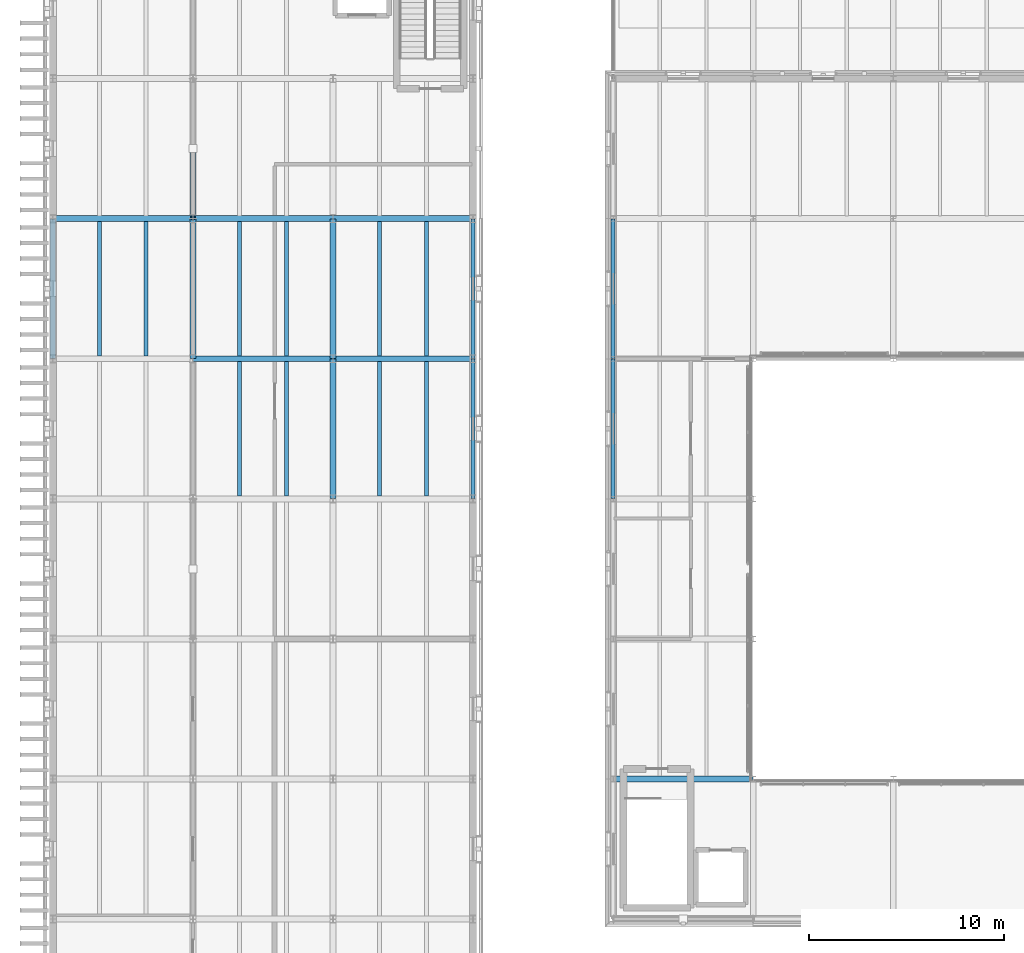
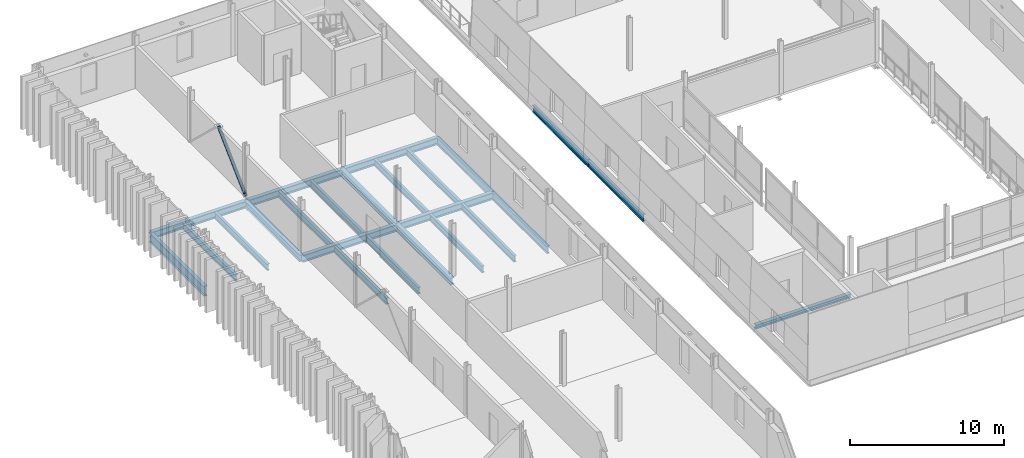
# One storey, part 9 of 66: 24 beams, 1 member.
"""IFC4 building model written with IfcOpenShell, lengths in metres."""

from ifc_helpers import new_model, si_unit, direction, frame, origin, origin_2d, place, context, subcontext, project, spatial, hollow_circle, i_section, extrude, material, material_profile, profile_set, type_object, element, save


model = new_model("IFC4")

# Units and contexts
model_context = context("Model", 3, precision=1e-05, world=origin(), true_north=direction((0.0, 1.0)))
body_context = subcontext(model_context, "Body", "Model", "MODEL_VIEW")
ifc_project = project(units=[si_unit("LENGTHUNIT", "METRE"), si_unit("AREAUNIT", "SQUARE_METRE"), si_unit("VOLUMEUNIT", "CUBIC_METRE"), si_unit("PLANEANGLEUNIT", "RADIAN"), si_unit("MASSUNIT", "GRAM", prefix="KILO")], contexts=[model_context])

# Site, building, storey
site_placement = place(None, origin())
site = spatial("IfcSite", under=ifc_project, at=site_placement, CompositionType="ELEMENT")
building_placement = place(site_placement, origin())
building = spatial("IfcBuilding", under=site, at=building_placement, Name="Narikvali Park Central Library", CompositionType="ELEMENT")
storey_placement = place(building_placement, frame((0.0, 0.0, 18.60009765625)))
storey = spatial("IfcBuildingStorey", under=building, at=storey_placement, Name="L04", CompositionType="ELEMENT", Elevation=18.60009765625)

# Beams
ifc_material = material(Name="Steel S355", Category="steel")
ifc_material_profile_1 = material_profile(ifc_material, i_section(OverallWidth=0.264892578125, OverallDepth=0.7529296875, WebThickness=0.01318359375, FlangeThickness=0.01708984375, FilletRadius=0.01708984375, at=origin_2d()), Name="IPE 750x147")
ifc_profile_set_1 = profile_set([ifc_material_profile_1], Name="Steel S355")
beam_type_1 = type_object("IfcBeamType", Name="Fin Facade Spandrel IPE750", PredefinedType="SPANDREL", material=ifc_profile_set_1)
beam_1_placement = place(storey_placement, frame((0.0, 86.407958984375, -0.63671875), z_axis=(0.0, 1.0, 0.0), x_axis=(-1.0, 0.0, 0.0)))
element("IfcBeam", 1, at=beam_1_placement, inside=storey, type_object=beam_type_1, Name="V5 L04 Girder Y", PredefinedType="SPANDREL", context=body_context, shape_type="SweptSolid", body=[
    extrude(i_section(OverallWidth=0.264892578125, OverallDepth=0.7529296875, WebThickness=0.01318359375, FlangeThickness=0.01708984375, FilletRadius=0.01708984375, at=origin_2d()), origin(), (0.0, 0.0, 1.0), 7.18408203125),
])
ifc_material_profile_2 = material_profile(ifc_material, i_section(OverallWidth=0.201904296875, OverallDepth=0.506103515625, WebThickness=0.011962890625, FlangeThickness=0.01904296875, FilletRadius=0.02099609375, at=origin_2d()), Name="IPEO 500")
ifc_profile_set_2 = profile_set([ifc_material_profile_2], Name="Steel S355")
beam_type_2 = type_object("IfcBeamType", Name="Open Stack Joist IPEO500", PredefinedType="JOIST", material=ifc_profile_set_2)
for number, where, z_axis, x_axis, name in (
    (2, (2.39990234375, 86.550048828125, -0.51318359375), (0.0, 1.0, 0.0), (-1.0, 0.0, 0.0), "V5 L04 Composite Joist 1"),
    (3, (4.800048828125, 86.550048828125, -0.51318359375), (0.0, 1.0, 0.0), (-1.0, 0.0, 0.0), "V5 L04 Composite Joist 2"),
    (4, (9.60009765625, 79.35009765625, -0.51318359375), (0.0, 1.0, 0.0), (-1.0, 0.0, 0.0), "V5 L04 Composite Joist 1"),
    (5, (12.0, 79.35009765625, -0.51318359375), (0.0, 1.0, 0.0), (-1.0, 0.0, 0.0), "V5 L04 Composite Joist 2"),
    (6, (9.60009765625, 86.550048828125, -0.51318359375), (0.0, 1.0, 0.0), (-1.0, 0.0, 0.0), "V5 L04 Composite Joist 1"),
    (7, (12.0, 86.550048828125, -0.51318359375), (0.0, 1.0, 0.0), (-1.0, 0.0, 0.0), "V5 L04 Composite Joist 2"),
    (8, (16.800048828125, 79.35009765625, -0.51318359375), (0.0, 1.0, 0.0), (-1.0, 0.0, 0.0), "V5 L04 Composite Joist 1"),
    (9, (19.199951171875, 79.35009765625, -0.51318359375), (0.0, 1.0, 0.0), (-1.0, 0.0, 0.0), "V5 L04 Composite Joist 2"),
    (10, (16.800048828125, 86.550048828125, -0.51318359375), (0.0, 1.0, 0.0), (-1.0, 0.0, 0.0), "V5 L04 Composite Joist 1"),
    (11, (19.199951171875, 86.550048828125, -0.51318359375), (0.0, 1.0, 0.0), (-1.0, 0.0, 0.0), "V5 L04 Composite Joist 2"),
):
    element("IfcBeam", number, at=place(storey_placement, frame(where, z_axis=z_axis, x_axis=x_axis)), inside=storey, type_object=beam_type_2, Name=name, PredefinedType="JOIST", context=body_context, shape_type="SweptSolid", body=[
        extrude(i_section(OverallWidth=0.201904296875, OverallDepth=0.506103515625, WebThickness=0.011962890625, FlangeThickness=0.01904296875, FilletRadius=0.02099609375, at=origin_2d()), origin(), (0.0, 0.0, 1.0), 6.89990234375),
    ])
ifc_material_profile_3 = material_profile(ifc_material, i_section(OverallWidth=0.2099609375, OverallDepth=0.550048828125, WebThickness=0.010986328125, FlangeThickness=0.01708984375, FilletRadius=0.02392578125, at=origin_2d()), Name="IPE 550")
ifc_profile_set_3 = profile_set([ifc_material_profile_3], Name="Steel S355")
beam_type_3 = type_object("IfcBeamType", Name="Perimeter Spandrel IPE550", PredefinedType="SPANDREL", material=ifc_profile_set_3)
for number, where, z_axis, x_axis, name in (
    (12, (28.800048828125, 79.2080078125, -0.53515625), (0.0, 1.0, 0.0), (-1.0, 0.0, 0.0), "V4 L04 Girder Y"),
    (13, (28.800048828125, 86.407958984375, -0.53515625), (0.0, 1.0, 0.0), (-1.0, 0.0, 0.0), "V4 L04 Girder Y"),
):
    element("IfcBeam", number, at=place(storey_placement, frame(where, z_axis=z_axis, x_axis=x_axis)), inside=storey, type_object=beam_type_3, Name=name, PredefinedType="SPANDREL", context=body_context, shape_type="SweptSolid", body=[
        extrude(i_section(OverallWidth=0.2099609375, OverallDepth=0.550048828125, WebThickness=0.010986328125, FlangeThickness=0.01708984375, FilletRadius=0.02392578125, at=origin_2d()), origin(), (0.0, 0.0, 1.0), 7.18408203125),
    ])
ifc_material_profile_4 = material_profile(ifc_material, i_section(OverallWidth=0.219970703125, OverallDepth=0.60009765625, WebThickness=0.011962890625, FlangeThickness=0.01904296875, FilletRadius=0.02392578125, at=origin_2d()), Name="IPE 600")
ifc_profile_set_4 = profile_set([ifc_material_profile_4], Name="Steel S355")
beam_type_4 = type_object("IfcBeamType", Name="Perimeter Spandrel IPE600", PredefinedType="SPANDREL", material=ifc_profile_set_4)
for number, where, z_axis, x_axis, name in (
    (14, (21.60009765625, 79.2080078125, -0.56005859375), (0.0, 1.0, 0.0), (-1.0, 0.0, 0.0), "V5 L04 Girder Y"),
    (15, (21.60009765625, 86.407958984375, -0.56005859375), (0.0, 1.0, 0.0), (-1.0, 0.0, 0.0), "V5 L04 Girder Y"),
):
    element("IfcBeam", number, at=place(storey_placement, frame(where, z_axis=z_axis, x_axis=x_axis)), inside=storey, type_object=beam_type_4, Name=name, PredefinedType="SPANDREL", context=body_context, shape_type="SweptSolid", body=[
        extrude(i_section(OverallWidth=0.219970703125, OverallDepth=0.60009765625, WebThickness=0.011962890625, FlangeThickness=0.01904296875, FilletRadius=0.02392578125, at=origin_2d()), origin(), (0.0, 0.0, 1.0), 7.18408203125),
    ])
ifc_material_profile_5 = material_profile(ifc_material, i_section(OverallWidth=0.300048828125, OverallDepth=0.31005859375, WebThickness=0.009033203125, FlangeThickness=0.015380859375, FilletRadius=0.027099609375, at=origin_2d()), Name="HEA 320")
ifc_profile_set_5 = profile_set([ifc_material_profile_5], Name="Steel S355")
beam_type_5 = type_object("IfcBeamType", Name="Primary Girder HEA320", PredefinedType="BEAM", material=ifc_profile_set_5)
beam_2_placement = place(storey_placement, frame((28.80810546875, 64.800048828125, -0.4150390625), z_axis=(1.0, 0.0, 0.0), x_axis=(0.0, 1.0, 0.0)))
element("IfcBeam", 16, at=beam_2_placement, inside=storey, type_object=beam_type_5, Name="V4 L04 Girder X", PredefinedType="BEAM", context=body_context, shape_type="SweptSolid", body=[
    extrude(i_section(OverallWidth=0.300048828125, OverallDepth=0.31005859375, WebThickness=0.009033203125, FlangeThickness=0.015380859375, FilletRadius=0.027099609375, at=origin_2d()), origin(), (0.0, 0.0, 1.0), 7.183837890625),
])
ifc_material_profile_6 = material_profile(ifc_material, i_section(OverallWidth=0.300048828125, OverallDepth=0.5400390625, WebThickness=0.012451171875, FlangeThickness=0.02392578125, FilletRadius=0.027099609375, at=origin_2d()), Name="HEA 550")
ifc_profile_set_6 = profile_set([ifc_material_profile_6], Name="Steel S355")
beam_type_6 = type_object("IfcBeamType", Name="Primary Girder HEA550", PredefinedType="BEAM", material=ifc_profile_set_6)
for number, where, z_axis, x_axis, name in (
    (17, (7.199951171875, 86.407958984375, -0.530029296875), (0.0, 1.0, 0.0), (-1.0, 0.0, 0.0), "V5 L04 Girder Y"),
    (18, (14.39990234375, 79.2080078125, -0.530029296875), (0.0, 1.0, 0.0), (-1.0, 0.0, 0.0), "V5 L04 Girder Y"),
    (19, (14.39990234375, 86.407958984375, -0.530029296875), (0.0, 1.0, 0.0), (-1.0, 0.0, 0.0), "V5 L04 Girder Y"),
):
    element("IfcBeam", number, at=place(storey_placement, frame(where, z_axis=z_axis, x_axis=x_axis)), inside=storey, type_object=beam_type_6, Name=name, PredefinedType="BEAM", context=body_context, shape_type="SweptSolid", body=[
        extrude(i_section(OverallWidth=0.300048828125, OverallDepth=0.5400390625, WebThickness=0.012451171875, FlangeThickness=0.02392578125, FilletRadius=0.027099609375, at=origin_2d()), origin(), (0.0, 0.0, 1.0), 7.18408203125),
    ])
ifc_material_profile_7 = material_profile(ifc_material, i_section(OverallWidth=0.300048828125, OverallDepth=0.550048828125, WebThickness=0.014892578125, FlangeThickness=0.029052734375, FilletRadius=0.027099609375, at=origin_2d()), Name="HEB 550")
ifc_profile_set_7 = profile_set([ifc_material_profile_7], Name="Steel S355")
beam_type_7 = type_object("IfcBeamType", Name="Primary Stack Girder HEB550", PredefinedType="BEAM", material=ifc_profile_set_7)
for number, where, z_axis, x_axis, name in (
    (20, (7.2080078125, 86.39990234375, -0.53515625), (1.0, 0.0, 0.0), (0.0, 1.0, 0.0), "V5 L04 Girder X"),
    (21, (14.407958984375, 86.39990234375, -0.53515625), (1.0, 0.0, 0.0), (0.0, 1.0, 0.0), "V5 L04 Girder X"),
):
    element("IfcBeam", number, at=place(storey_placement, frame(where, z_axis=z_axis, x_axis=x_axis)), inside=storey, type_object=beam_type_7, Name=name, PredefinedType="BEAM", context=body_context, shape_type="SweptSolid", body=[
        extrude(i_section(OverallWidth=0.300048828125, OverallDepth=0.550048828125, WebThickness=0.014892578125, FlangeThickness=0.029052734375, FilletRadius=0.027099609375, at=origin_2d()), origin(), (0.0, 0.0, 1.0), 7.18408203125),
    ])
beam_3_placement = place(storey_placement, frame((0.008056640625, 93.60009765625, -0.53515625), z_axis=(1.0, 0.0, 0.0), x_axis=(0.0, 1.0, 0.0)))
element("IfcBeam", 22, at=beam_3_placement, inside=storey, type_object=beam_type_7, Name="V5 L04 Girder X", PredefinedType="BEAM", context=body_context, shape_type="SweptSolid", body=[
    extrude(i_section(OverallWidth=0.300048828125, OverallDepth=0.550048828125, WebThickness=0.014892578125, FlangeThickness=0.029052734375, FilletRadius=0.027099609375, at=origin_2d()), origin(), (0.0, 0.0, 1.0), 7.183837890625),
])
for number, where, z_axis, x_axis, name in (
    (23, (7.2080078125, 93.60009765625, -0.53515625), (1.0, 0.0, 0.0), (0.0, 1.0, 0.0), "V5 L04 Girder X"),
    (24, (14.407958984375, 93.60009765625, -0.53515625), (1.0, 0.0, 0.0), (0.0, 1.0, 0.0), "V5 L04 Girder X"),
):
    element("IfcBeam", number, at=place(storey_placement, frame(where, z_axis=z_axis, x_axis=x_axis)), inside=storey, type_object=beam_type_7, Name=name, PredefinedType="BEAM", context=body_context, shape_type="SweptSolid", body=[
        extrude(i_section(OverallWidth=0.300048828125, OverallDepth=0.550048828125, WebThickness=0.014892578125, FlangeThickness=0.029052734375, FilletRadius=0.027099609375, at=origin_2d()), origin(), (0.0, 0.0, 1.0), 7.18408203125),
    ])

# Member
ifc_material_profile_8 = material_profile(ifc_material, hollow_circle(Radius=0.122314453125, WallThickness=0.012451171875, at=origin_2d()), Name="CHS 244.5x12.5")
ifc_profile_set_8 = profile_set([ifc_material_profile_8], Name="Steel S355")
member_type = type_object("IfcMemberType", Name="Upper Chevron Brace CHS244", PredefinedType="BRACE", material=ifc_profile_set_8)
member_placement = place(storey_placement, frame((7.199951171875, 93.614990234375, 0.014892578125), z_axis=(0.0, 0.725068468495, 0.688676786305), x_axis=(-1.0, 0.0, 0.0)))
element("IfcMember", 25, at=member_placement, inside=storey, type_object=member_type, Name="V5 L04 Seismic Chevron Brace A", PredefinedType="BRACE", context=body_context, shape_type="SweptSolid", body=[
    extrude(hollow_circle(Radius=0.122314453125, WallThickness=0.012451171875, at=origin_2d()), origin(), (0.0, 0.0, 1.0), 4.9443359375),
])

save(model, "model.ifc")
